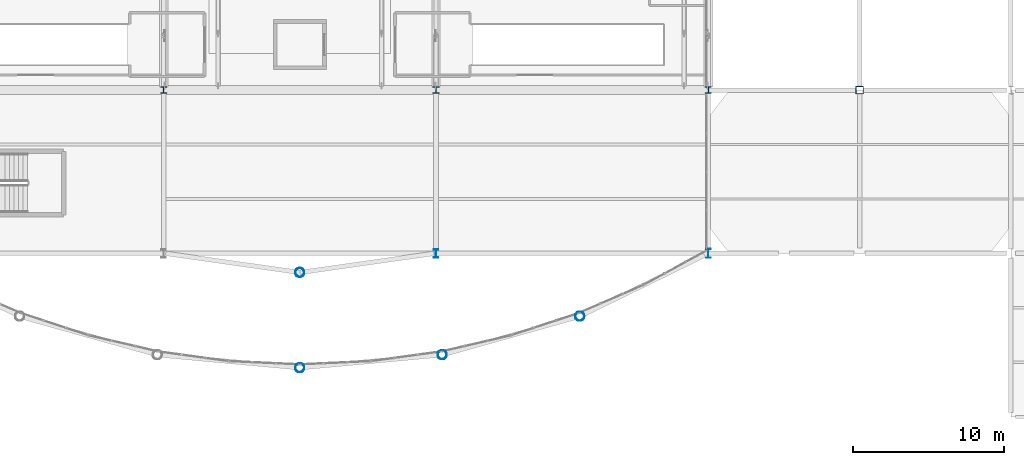
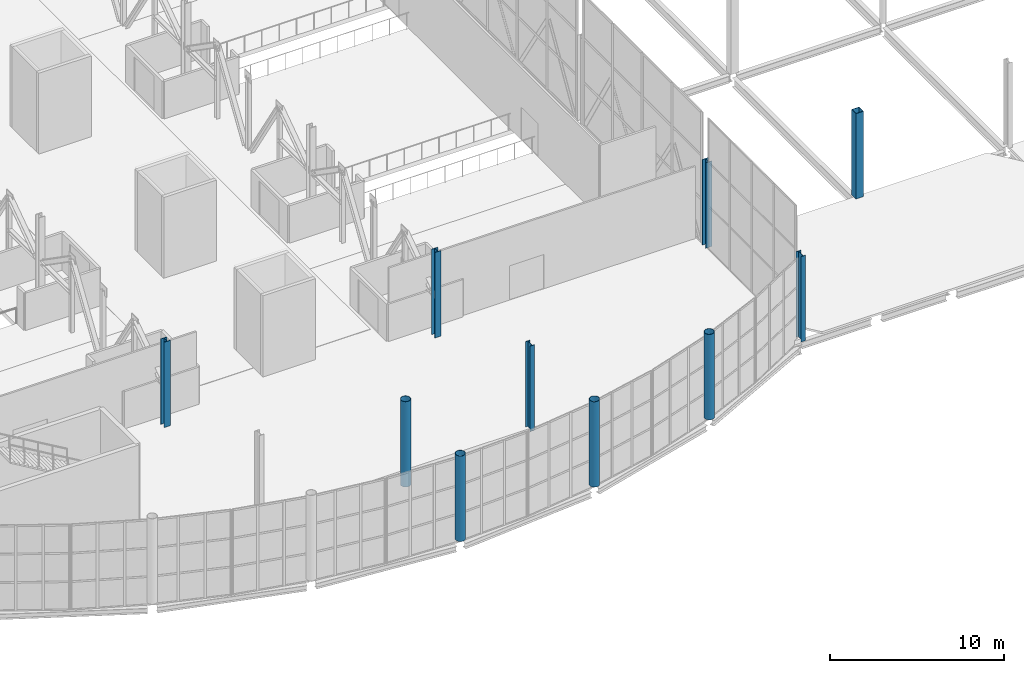
# One storey, part 5 of 191: 10 columns.
"""IFC4 building model written with IfcOpenShell, lengths in metres."""

from ifc_helpers import new_model, si_unit, direction, frame, origin, origin_2d, place, context, subcontext, project, spatial, hollow_rectangle, hollow_circle, i_section, extrude, material, material_profile, profile_set, type_object, element, save


model = new_model("IFC4")

# Units and contexts
model_context = context("Model", 3, precision=1e-05, world=origin(), true_north=direction((0.0, 1.0)))
body_context = subcontext(model_context, "Body", "Model", "MODEL_VIEW")
ifc_project = project(units=[si_unit("LENGTHUNIT", "METRE"), si_unit("AREAUNIT", "SQUARE_METRE"), si_unit("VOLUMEUNIT", "CUBIC_METRE"), si_unit("PLANEANGLEUNIT", "RADIAN"), si_unit("MASSUNIT", "GRAM", prefix="KILO")], contexts=[model_context])

# Site, building, storey
site_placement = place(None, origin())
site = spatial("IfcSite", under=ifc_project, at=site_placement, CompositionType="ELEMENT")
building_placement = place(site_placement, origin())
building = spatial("IfcBuilding", under=site, at=building_placement, Name="Tamarisk Ironworks Central Station", CompositionType="ELEMENT")
storey_placement = place(building_placement, frame((0.0, 0.0, 6.60009765625)))
storey = spatial("IfcBuildingStorey", under=building, at=storey_placement, Name="L01", CompositionType="ELEMENT", Elevation=6.60009765625)

# Columns
ifc_material_1 = material(Name="Structural steel S355J2", Category="steel")
ifc_material_profile_1 = material_profile(ifc_material_1, i_section(OverallWidth=0.406005859375, OverallDepth=0.416015625, WebThickness=0.022705078125, FlangeThickness=0.034912109375, at=origin_2d()), Name="HD 400x382")
ifc_profile_set_1 = profile_set([ifc_material_profile_1], Name="Structural steel S355J2")
column_type_1 = type_object("IfcColumnType", Name="COL-S02", PredefinedType="COLUMN", material=ifc_profile_set_1)
for number, where, z_axis, x_axis, name in (
    (1, (72.0, 21.60009765625, 0.0), (0.0, 0.0, 1.0), (1.0, 0.0, 0.0), "L01 column V2-09C"),
    (2, (90.0, 21.60009765625, 0.0), (0.0, 0.0, 1.0), (1.0, 0.0, 0.0), "L01 column V2-12C"),
    (3, (108.0, 21.60009765625, 0.0), (0.0, 0.0, 1.0), (1.0, 0.0, 0.0), "L01 column V2-14C"),
):
    element("IfcColumn", number, at=place(storey_placement, frame(where, z_axis=z_axis, x_axis=x_axis)), inside=storey, type_object=column_type_1, Name=name, PredefinedType="COLUMN", context=body_context, shape_type="SweptSolid", body=[
        extrude(i_section(OverallWidth=0.406005859375, OverallDepth=0.416015625, WebThickness=0.022705078125, FlangeThickness=0.034912109375, at=origin_2d()), origin(), (0.0, 0.0, 1.0), 6.0),
    ])
ifc_material_profile_2 = material_profile(ifc_material_1, i_section(OverallWidth=0.300048828125, OverallDepth=0.60009765625, WebThickness=0.015380859375, FlangeThickness=0.029052734375, at=origin_2d()), Name="HEB 600")
ifc_profile_set_2 = profile_set([ifc_material_profile_2], Name="Structural steel S355J2")
column_type_2 = type_object("IfcColumnType", Name="COL-S05", PredefinedType="COLUMN", material=ifc_profile_set_2)
column_1_placement = place(storey_placement, frame((108.0, 10.800048828125, 0.0), z_axis=(0.0, 0.0, 1.0), x_axis=(1.0, 0.0, 0.0)))
element("IfcColumn", 4, at=column_1_placement, inside=storey, type_object=column_type_2, Name="L01 column V2-14B", PredefinedType="COLUMN", context=body_context, shape_type="SweptSolid", body=[
    extrude(i_section(OverallWidth=0.300048828125, OverallDepth=0.60009765625, WebThickness=0.015380859375, FlangeThickness=0.029052734375, at=origin_2d()), origin(), (0.0, 0.0, 1.0), 6.0),
])
ifc_material_profile_3 = material_profile(ifc_material_1, i_section(OverallWidth=0.300048828125, OverallDepth=0.550048828125, WebThickness=0.014892578125, FlangeThickness=0.029052734375, at=origin_2d()), Name="HEB 550")
ifc_profile_set_3 = profile_set([ifc_material_profile_3], Name="Structural steel S355J2")
column_type_3 = type_object("IfcColumnType", Name="COL-S06", PredefinedType="COLUMN", material=ifc_profile_set_3)
column_2_placement = place(storey_placement, frame((90.0, 10.800048828125, 0.0), z_axis=(0.0, 0.0, 1.0), x_axis=(1.0, 0.0, 0.0)))
element("IfcColumn", 5, at=column_2_placement, inside=storey, type_object=column_type_3, Name="L01 column V2-12B", PredefinedType="COLUMN", context=body_context, shape_type="SweptSolid", body=[
    extrude(i_section(OverallWidth=0.300048828125, OverallDepth=0.550048828125, WebThickness=0.014892578125, FlangeThickness=0.029052734375, at=origin_2d()), origin(), (0.0, 0.0, 1.0), 6.0),
])
ifc_material_2 = material(Name="Structural steel S355J2H", Category="steel")
ifc_material_profile_4 = material_profile(ifc_material_2, hollow_rectangle(XDim=0.5, YDim=0.5, WallThickness=0.02001953125, at=origin_2d()), Name="SHS 500x500x20")
ifc_profile_set_4 = profile_set([ifc_material_profile_4], Name="Structural steel S355J2H")
column_type_4 = type_object("IfcColumnType", Name="COL-S13", PredefinedType="COLUMN", material=ifc_profile_set_4)
column_3_placement = place(storey_placement, frame((118.0, 21.60009765625, 0.0), z_axis=(0.0, 0.0, 1.0), x_axis=(1.0, 0.0, 0.0)))
element("IfcColumn", 6, at=column_3_placement, inside=storey, type_object=column_type_4, Name="L01 column V1-15C", PredefinedType="COLUMN", context=body_context, shape_type="SweptSolid", body=[
    extrude(hollow_rectangle(XDim=0.5, YDim=0.5, WallThickness=0.02001953125, at=origin_2d()), origin(), (0.0, 0.0, 1.0), 6.0),
])
ifc_material_3 = material(Name="Painted structural steel S355J2", Category="steel")
ifc_material_profile_5 = material_profile(ifc_material_3, hollow_circle(Radius=0.304931640625, WallThickness=0.02001953125, at=origin_2d()), Name="CHS 610x20")
ifc_profile_set_5 = profile_set([ifc_material_profile_5], Name="Painted structural steel S355J2")
column_type_5 = type_object("IfcColumnType", Name="COL-S15", PredefinedType="COLUMN", material=ifc_profile_set_5)
for number, where, z_axis, x_axis, name in (
    (7, (81.0, 9.5400390625, 0.0), (0.0, 0.0, 1.0), (1.0, 0.0, 0.0), "L01 column V2-SAC"),
    (8, (81.0, 3.240966796875, 0.0), (0.0, 0.0, 1.0), (1.0, 0.0, 0.0), "L01 column V2-SN06"),
    (9, (90.410888671875, 4.099609375, 0.0), (0.0, 0.0, 1.0), (1.0, 0.0, 0.0), "L01 column V2-SN08"),
    (10, (99.51123046875, 6.6474609375, 0.0), (0.0, 0.0, 1.0), (1.0, 0.0, 0.0), "L01 column V2-SN10"),
):
    element("IfcColumn", number, at=place(storey_placement, frame(where, z_axis=z_axis, x_axis=x_axis)), inside=storey, type_object=column_type_5, Name=name, PredefinedType="COLUMN", context=body_context, shape_type="SweptSolid", body=[
        extrude(hollow_circle(Radius=0.304931640625, WallThickness=0.02001953125, at=origin_2d()), origin(), (0.0, 0.0, 1.0), 6.0),
    ])

save(model, "model.ifc")
